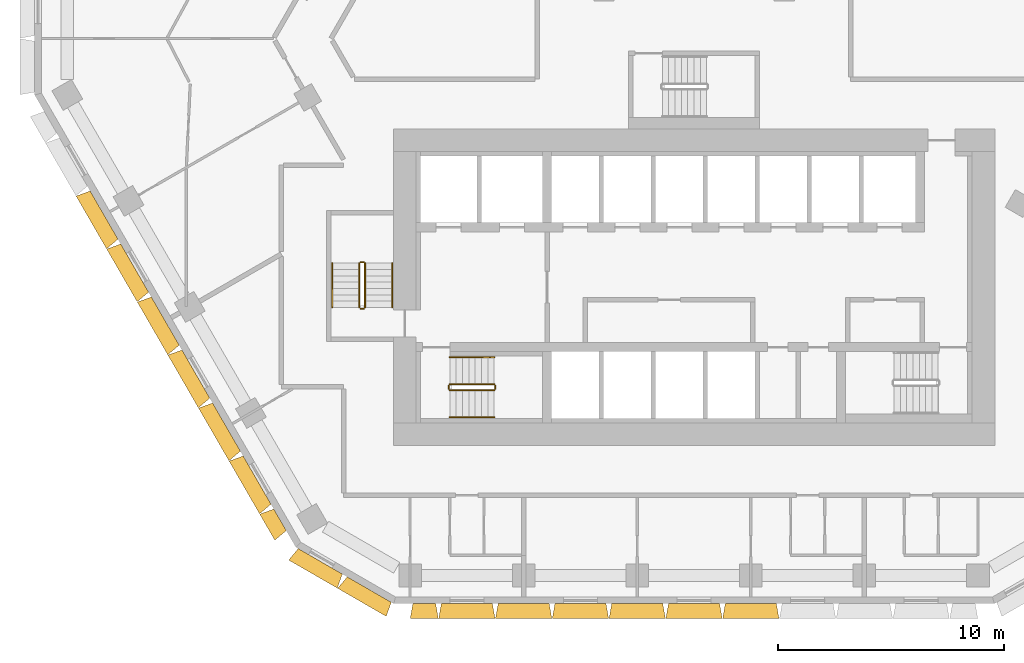
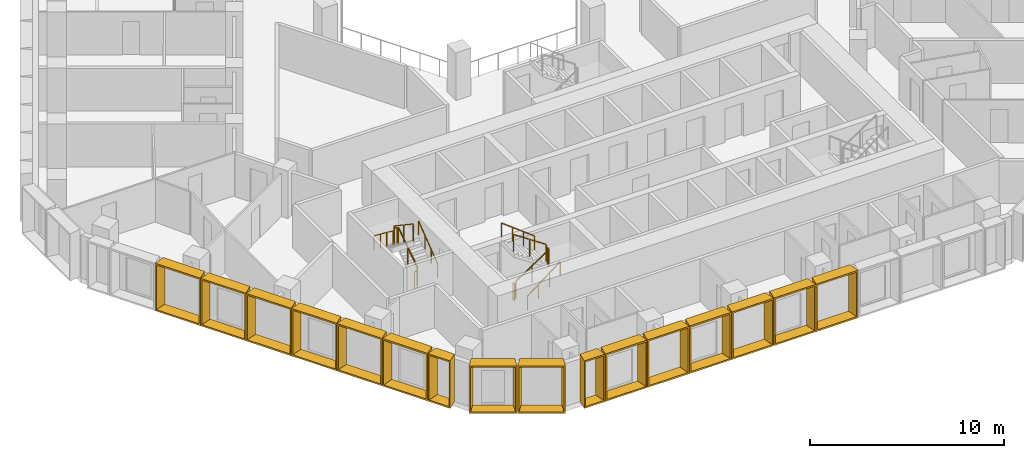
# One storey, part 12 of 15: 16 shading devices, 12 railings.
"""IFC4 building model written with IfcOpenShell, lengths in metres."""

from ifc_helpers import new_model, entity, si_unit, direction, frame, origin, origin_2d, place, context, subcontext, project, spatial, rectangle, extrude, source, transform, mapped, material, type_object, type_shapes, element, save


model = new_model("IFC4")

# Units and contexts
model_context = context("Model", 3, precision=1e-05, world=origin(), true_north=direction((0.0, 1.0)))
body_context = subcontext(model_context, "Body", "Model", "MODEL_VIEW")
ifc_project = project(units=[si_unit("LENGTHUNIT", "METRE"), si_unit("AREAUNIT", "SQUARE_METRE"), si_unit("VOLUMEUNIT", "CUBIC_METRE"), si_unit("PLANEANGLEUNIT", "RADIAN"), si_unit("MASSUNIT", "GRAM", prefix="KILO")], contexts=[model_context])

# Site, building, storey
site_placement = place(None, origin())
site = spatial("IfcSite", under=ifc_project, at=site_placement, CompositionType="ELEMENT")
building_placement = place(site_placement, origin())
building = spatial("IfcBuilding", under=site, at=building_placement, Name="Beryl Residences", CompositionType="ELEMENT")
storey_placement = place(building_placement, frame((0.0, 0.0, 84.0)))
storey = spatial("IfcBuildingStorey", under=building, at=storey_placement, Name="L25", CompositionType="ELEMENT", Elevation=84.0)

# Shading devices
ifc_material_1 = material(Name="Aluminium pale anodised", Category="aluminium")
shading_device_type_1 = type_object("IfcShadingDeviceType", Name="FR126-65A OUTER SKIN frame 650 mm deep, splay 10/10 deg, 1260 x 3000 mm cell", PredefinedType="USERDEFINED", material=ifc_material_1)
cartesian_point_1 = entity("IfcCartesianPoint", [-0.5048828125, 0.0])
cartesian_point_2 = entity("IfcCartesianPoint", [-0.423828125, 0.10009765625])
cartesian_point_3 = entity("IfcCartesianPoint", [-0.61962890625, 0.0])
cartesian_point_4 = entity("IfcCartesianPoint", [-0.538330078125, 0.10009765625])
shared_shape_1 = source(origin(), body_context, "Body", "SweptSolid", [
    entity("IfcExtrudedAreaSolidTapered", entity("IfcArbitraryProfileDefWithVoids", "AREA", None, entity("IfcPolyline", [cartesian_point_1, entity("IfcCartesianPoint", [0.5048828125, 0.0]), entity("IfcCartesianPoint", [0.5048828125, 3.0]), entity("IfcCartesianPoint", [-0.5048828125, 3.0]), cartesian_point_1]), [entity("IfcPolyline", [cartesian_point_2, entity("IfcCartesianPoint", [0.423828125, 0.10009765625]), entity("IfcCartesianPoint", [0.423828125, 2.89990234375]), entity("IfcCartesianPoint", [-0.423828125, 2.89990234375]), cartesian_point_2])]), entity("IfcAxis2Placement3D", entity("IfcCartesianPoint", [0.0, 0.0, 0.0]), entity("IfcDirection", [0.0, 1.0, 0.0]), entity("IfcDirection", [-1.0, 0.0, 0.0])), entity("IfcDirection", [0.0, 0.0, 1.0]), 0.64990234375, entity("IfcArbitraryProfileDefWithVoids", "AREA", None, entity("IfcPolyline", [cartesian_point_3, entity("IfcCartesianPoint", [0.61962890625, 0.0]), entity("IfcCartesianPoint", [0.61962890625, 3.0]), entity("IfcCartesianPoint", [-0.61962890625, 3.0]), cartesian_point_3]), [entity("IfcPolyline", [cartesian_point_4, entity("IfcCartesianPoint", [0.538330078125, 0.10009765625]), entity("IfcCartesianPoint", [0.538330078125, 2.89990234375]), entity("IfcCartesianPoint", [-0.538330078125, 2.89990234375]), cartesian_point_4])])),
])
type_shapes(shading_device_type_1, [shared_shape_1])
shading_device_1_placement = place(storey_placement, frame((-11.928955078125, -26.0, 0.0), z_axis=(0.0, 0.0, 1.0), x_axis=(-1.0, 0.0, 0.0)))
element("IfcShadingDevice", 1, at=shading_device_1_placement, inside=storey, type_object=shading_device_type_1, Name="FR126-65A frame L25 S 1", ObjectType="OUTER SKIN", PredefinedType="USERDEFINED", context=body_context, shape_type="MappedRepresentation", body=[
    mapped(shared_shape_1, transform((0.0, 0.0, 0.0))),
])
ifc_material_2 = material(Name="Aluminium pale anodised", Category="aluminium")
shading_device_type_2 = type_object("IfcShadingDeviceType", Name="FR135-65A OUTER SKIN frame 650 mm deep, splay 10/10 deg, 1350 x 3000 mm cell", PredefinedType="USERDEFINED", material=ifc_material_2)
cartesian_point_5 = entity("IfcCartesianPoint", [-0.550048828125, 0.0])
cartesian_point_6 = entity("IfcCartesianPoint", [-0.46875, 0.10009765625])
cartesian_point_7 = entity("IfcCartesianPoint", [-0.66455078125, 0.0])
cartesian_point_8 = entity("IfcCartesianPoint", [-0.58349609375, 0.10009765625])
shared_shape_2 = source(origin(), body_context, "Body", "SweptSolid", [
    entity("IfcExtrudedAreaSolidTapered", entity("IfcArbitraryProfileDefWithVoids", "AREA", None, entity("IfcPolyline", [cartesian_point_5, entity("IfcCartesianPoint", [0.550048828125, 0.0]), entity("IfcCartesianPoint", [0.550048828125, 3.0]), entity("IfcCartesianPoint", [-0.550048828125, 3.0]), cartesian_point_5]), [entity("IfcPolyline", [cartesian_point_6, entity("IfcCartesianPoint", [0.46875, 0.10009765625]), entity("IfcCartesianPoint", [0.46875, 2.89990234375]), entity("IfcCartesianPoint", [-0.46875, 2.89990234375]), cartesian_point_6])]), entity("IfcAxis2Placement3D", entity("IfcCartesianPoint", [0.0, 0.0, 0.0]), entity("IfcDirection", [0.0, 1.0, 0.0]), entity("IfcDirection", [-1.0, 0.0, 0.0])), entity("IfcDirection", [0.0, 0.0, 1.0]), 0.64990234375, entity("IfcArbitraryProfileDefWithVoids", "AREA", None, entity("IfcPolyline", [cartesian_point_7, entity("IfcCartesianPoint", [0.66455078125, 0.0]), entity("IfcCartesianPoint", [0.66455078125, 3.0]), entity("IfcCartesianPoint", [-0.66455078125, 3.0]), cartesian_point_7]), [entity("IfcPolyline", [cartesian_point_8, entity("IfcCartesianPoint", [0.58349609375, 0.10009765625]), entity("IfcCartesianPoint", [0.58349609375, 2.89990234375]), entity("IfcCartesianPoint", [-0.58349609375, 2.89990234375]), cartesian_point_8])])),
])
type_shapes(shading_device_type_2, [shared_shape_2])
shading_device_2_placement = place(storey_placement, frame((-18.30810546875, -22.2900390625, 0.0), z_axis=(0.0, 0.0, 1.0), x_axis=(-0.5, 0.866025403784, 0.0)))
element("IfcShadingDevice", 2, at=shading_device_2_placement, inside=storey, type_object=shading_device_type_2, Name="FR135-65A frame L25 SW 9", ObjectType="OUTER SKIN", PredefinedType="USERDEFINED", context=body_context, shape_type="MappedRepresentation", body=[
    mapped(shared_shape_2, transform((0.0, 0.0, 0.0))),
])
ifc_material_3 = material(Name="Aluminium pale anodised", Category="aluminium")
shading_device_type_3 = type_object("IfcShadingDeviceType", Name="FR250-65A OUTER SKIN frame 650 mm deep, splay 10/10 deg, 2500 x 3000 mm cell", PredefinedType="USERDEFINED", material=ifc_material_3)
cartesian_point_9 = entity("IfcCartesianPoint", [-1.125, 0.0])
cartesian_point_10 = entity("IfcCartesianPoint", [-1.043701171875, 0.10009765625])
cartesian_point_11 = entity("IfcCartesianPoint", [-1.239501953125, 0.0])
cartesian_point_12 = entity("IfcCartesianPoint", [-1.158447265625, 0.10009765625])
shared_shape_3 = source(origin(), body_context, "Body", "SweptSolid", [
    entity("IfcExtrudedAreaSolidTapered", entity("IfcArbitraryProfileDefWithVoids", "AREA", None, entity("IfcPolyline", [cartesian_point_9, entity("IfcCartesianPoint", [1.125, 0.0]), entity("IfcCartesianPoint", [1.125, 3.0]), entity("IfcCartesianPoint", [-1.125, 3.0]), cartesian_point_9]), [entity("IfcPolyline", [cartesian_point_10, entity("IfcCartesianPoint", [1.043701171875, 0.10009765625]), entity("IfcCartesianPoint", [1.043701171875, 2.89990234375]), entity("IfcCartesianPoint", [-1.043701171875, 2.89990234375]), cartesian_point_10])]), entity("IfcAxis2Placement3D", entity("IfcCartesianPoint", [0.0, 0.0, 0.0]), entity("IfcDirection", [0.0, 1.0, 0.0]), entity("IfcDirection", [-1.0, 0.0, 0.0])), entity("IfcDirection", [0.0, 0.0, 1.0]), 0.64990234375, entity("IfcArbitraryProfileDefWithVoids", "AREA", None, entity("IfcPolyline", [cartesian_point_11, entity("IfcCartesianPoint", [1.239501953125, 0.0]), entity("IfcCartesianPoint", [1.239501953125, 3.0]), entity("IfcCartesianPoint", [-1.239501953125, 3.0]), cartesian_point_11]), [entity("IfcPolyline", [cartesian_point_12, entity("IfcCartesianPoint", [1.158447265625, 0.10009765625]), entity("IfcCartesianPoint", [1.158447265625, 2.89990234375]), entity("IfcCartesianPoint", [-1.158447265625, 2.89990234375]), cartesian_point_12])])),
])
type_shapes(shading_device_type_3, [shared_shape_3])
for number, where, z_axis, x_axis, name in (
    (3, (-16.527099609375, -24.125, 0.0), (0.0, 0.0, 1.0), (-0.866025403784, 0.5, 0.0), "FR250-65A frame L25 SW-S 1"),
    (4, (-14.361083984375, -25.375, 0.0), (0.0, 0.0, 1.0), (-0.866025403784, 0.5, 0.0), "FR250-65A frame L25 SW-S 2"),
):
    element("IfcShadingDevice", number, at=place(storey_placement, frame(where, z_axis=z_axis, x_axis=x_axis)), inside=storey, type_object=shading_device_type_3, Name=name, ObjectType="OUTER SKIN", PredefinedType="USERDEFINED", context=body_context, shape_type="MappedRepresentation", body=[
        mapped(shared_shape_3, transform((0.0, 0.0, 0.0))),
    ])
ifc_material_4 = material(Name="Aluminium pale anodised", Category="aluminium")
shading_device_type_4 = type_object("IfcShadingDeviceType", Name="FR251-65A OUTER SKIN frame 650 mm deep, splay 10/10 deg, 2510 x 3000 mm cell", PredefinedType="USERDEFINED", material=ifc_material_4)
cartesian_point_13 = entity("IfcCartesianPoint", [-1.1298828125, 0.0])
cartesian_point_14 = entity("IfcCartesianPoint", [-1.048828125, 0.10009765625])
cartesian_point_15 = entity("IfcCartesianPoint", [-1.24462890625, 0.0])
cartesian_point_16 = entity("IfcCartesianPoint", [-1.163330078125, 0.10009765625])
shared_shape_4 = source(origin(), body_context, "Body", "SweptSolid", [
    entity("IfcExtrudedAreaSolidTapered", entity("IfcArbitraryProfileDefWithVoids", "AREA", None, entity("IfcPolyline", [cartesian_point_13, entity("IfcCartesianPoint", [1.1298828125, 0.0]), entity("IfcCartesianPoint", [1.1298828125, 3.0]), entity("IfcCartesianPoint", [-1.1298828125, 3.0]), cartesian_point_13]), [entity("IfcPolyline", [cartesian_point_14, entity("IfcCartesianPoint", [1.048828125, 0.10009765625]), entity("IfcCartesianPoint", [1.048828125, 2.89990234375]), entity("IfcCartesianPoint", [-1.048828125, 2.89990234375]), cartesian_point_14])]), entity("IfcAxis2Placement3D", entity("IfcCartesianPoint", [0.0, 0.0, 0.0]), entity("IfcDirection", [0.0, 1.0, 0.0]), entity("IfcDirection", [-1.0, 0.0, 0.0])), entity("IfcDirection", [0.0, 0.0, 1.0]), 0.64990234375, entity("IfcArbitraryProfileDefWithVoids", "AREA", None, entity("IfcPolyline", [cartesian_point_15, entity("IfcCartesianPoint", [1.24462890625, 0.0]), entity("IfcCartesianPoint", [1.24462890625, 3.0]), entity("IfcCartesianPoint", [-1.24462890625, 3.0]), cartesian_point_15]), [entity("IfcPolyline", [cartesian_point_16, entity("IfcCartesianPoint", [1.163330078125, 0.10009765625]), entity("IfcCartesianPoint", [1.163330078125, 2.89990234375]), entity("IfcCartesianPoint", [-1.163330078125, 2.89990234375]), cartesian_point_16])])),
])
type_shapes(shading_device_type_4, [shared_shape_4])
for number, where, z_axis, x_axis, name in (
    (5, (-10.0458984375, -26.0, 0.0), (0.0, 0.0, 1.0), (-1.0, 0.0, 0.0), "FR251-65A frame L25 S 2"),
    (6, (-7.533935546875, -26.0, 0.0), (0.0, 0.0, 1.0), (-1.0, 0.0, 0.0), "FR251-65A frame L25 S 3"),
    (7, (-5.02197265625, -26.0, 0.0), (0.0, 0.0, 1.0), (-1.0, 0.0, 0.0), "FR251-65A frame L25 S 4"),
    (8, (-2.510986328125, -26.0, 0.0), (0.0, 0.0, 1.0), (-1.0, 0.0, 0.0), "FR251-65A frame L25 S 5"),
    (9, (0.0, -26.0, 0.0), (0.0, 0.0, 1.0), (-1.0, 0.0, 0.0), "FR251-65A frame L25 S 6"),
    (10, (2.511962890625, -26.0, 0.0), (0.0, 0.0, 1.0), (-1.0, 0.0, 0.0), "FR251-65A frame L25 S 7"),
):
    element("IfcShadingDevice", number, at=place(storey_placement, frame(where, z_axis=z_axis, x_axis=x_axis)), inside=storey, type_object=shading_device_type_4, Name=name, ObjectType="OUTER SKIN", PredefinedType="USERDEFINED", context=body_context, shape_type="MappedRepresentation", body=[
        mapped(shared_shape_4, transform((0.0, 0.0, 0.0))),
    ])
ifc_material_5 = material(Name="Aluminium pale anodised", Category="aluminium")
shading_device_type_5 = type_object("IfcShadingDeviceType", Name="FR271-65A OUTER SKIN frame 650 mm deep, splay 10/10 deg, 2710 x 3000 mm cell", PredefinedType="USERDEFINED", material=ifc_material_5)
cartesian_point_17 = entity("IfcCartesianPoint", [-1.22998046875, 0.0])
cartesian_point_18 = entity("IfcCartesianPoint", [-1.148681640625, 0.10009765625])
cartesian_point_19 = entity("IfcCartesianPoint", [-1.3447265625, 0.0])
cartesian_point_20 = entity("IfcCartesianPoint", [-1.263427734375, 0.10009765625])
shared_shape_5 = source(origin(), body_context, "Body", "SweptSolid", [
    entity("IfcExtrudedAreaSolidTapered", entity("IfcArbitraryProfileDefWithVoids", "AREA", None, entity("IfcPolyline", [cartesian_point_17, entity("IfcCartesianPoint", [1.22998046875, 0.0]), entity("IfcCartesianPoint", [1.22998046875, 3.0]), entity("IfcCartesianPoint", [-1.22998046875, 3.0]), cartesian_point_17]), [entity("IfcPolyline", [cartesian_point_18, entity("IfcCartesianPoint", [1.148681640625, 0.10009765625]), entity("IfcCartesianPoint", [1.148681640625, 2.89990234375]), entity("IfcCartesianPoint", [-1.148681640625, 2.89990234375]), cartesian_point_18])]), entity("IfcAxis2Placement3D", entity("IfcCartesianPoint", [0.0, 0.0, 0.0]), entity("IfcDirection", [0.0, 1.0, 0.0]), entity("IfcDirection", [-1.0, 0.0, 0.0])), entity("IfcDirection", [0.0, 0.0, 1.0]), 0.64990234375, entity("IfcArbitraryProfileDefWithVoids", "AREA", None, entity("IfcPolyline", [cartesian_point_19, entity("IfcCartesianPoint", [1.3447265625, 0.0]), entity("IfcCartesianPoint", [1.3447265625, 3.0]), entity("IfcCartesianPoint", [-1.3447265625, 3.0]), cartesian_point_19]), [entity("IfcPolyline", [cartesian_point_20, entity("IfcCartesianPoint", [1.263427734375, 0.10009765625]), entity("IfcCartesianPoint", [1.263427734375, 2.89990234375]), entity("IfcCartesianPoint", [-1.263427734375, 2.89990234375]), cartesian_point_20])])),
])
type_shapes(shading_device_type_5, [shared_shape_5])
for number, where, z_axis, x_axis, name in (
    (11, (-26.090087890625, -8.81201171875, 0.0), (0.0, 0.0, 1.0), (-0.5, 0.866025403784, 0.0), "FR271-65A frame L25 SW 3"),
    (12, (-24.736083984375, -11.156005859375, 0.0), (0.0, 0.0, 1.0), (-0.5, 0.866025403784, 0.0), "FR271-65A frame L25 SW 4"),
    (13, (-23.383056640625, -13.5, 0.0), (0.0, 0.0, 1.0), (-0.5, 0.866025403784, 0.0), "FR271-65A frame L25 SW 5"),
    (14, (-22.030029296875, -15.843994140625, 0.0), (0.0, 0.0, 1.0), (-0.5, 0.866025403784, 0.0), "FR271-65A frame L25 SW 6"),
    (15, (-20.676025390625, -18.18798828125, 0.0), (0.0, 0.0, 1.0), (-0.5, 0.866025403784, 0.0), "FR271-65A frame L25 SW 7"),
    (16, (-19.322998046875, -20.531982421875, 0.0), (0.0, 0.0, 1.0), (-0.5, 0.866025403784, 0.0), "FR271-65A frame L25 SW 8"),
):
    element("IfcShadingDevice", number, at=place(storey_placement, frame(where, z_axis=z_axis, x_axis=x_axis)), inside=storey, type_object=shading_device_type_5, Name=name, ObjectType="OUTER SKIN", PredefinedType="USERDEFINED", context=body_context, shape_type="MappedRepresentation", body=[
        mapped(shared_shape_5, transform((0.0, 0.0, 0.0))),
    ])

# Railings
ifc_material_6 = material(Name="Stainless steel balustrade with glass infill", Category="steel")
railing_type_1 = type_object("IfcRailingType", Name="SG1 stair guard 1100 mm", PredefinedType="GUARDRAIL", material=ifc_material_6)
railing_1_placement = place(storey_placement, frame((-10.800048828125, -16.550048828125, 0.1875)))
element("IfcRailing", 17, at=railing_1_placement, inside=storey, type_object=railing_type_1, Name="L25 ST-1 stair guard 1", PredefinedType="GUARDRAIL", context=body_context, shape_type="SweptSolid", body=[
    extrude(rectangle(XDim=0.048095703125, YDim=0.048095703125, at=origin_2d()), frame((0.0, 0.0, 1.076171875), z_axis=(0.830902050051, 0.0, 0.556418712142), x_axis=(0.0, 1.0, 0.0)), (0.0, 0.0, 1.0), 2.35888671875),
    extrude(rectangle(XDim=0.0419921875, YDim=0.0419921875, at=origin_2d()), origin(), (0.0, 0.0, 1.0), 1.052001953125),
    extrude(rectangle(XDim=0.0419921875, YDim=0.0419921875, at=origin_2d()), frame((0.97998046875, 0.0, 0.65625)), (0.0, 0.0, 1.0), 1.052001953125),
    extrude(rectangle(XDim=0.0419921875, YDim=0.0419921875, at=origin_2d()), frame((1.9599609375, 0.0, 1.3125)), (0.0, 0.0, 1.0), 1.052001953125),
])
railing_2_placement = place(storey_placement, frame((-8.7900390625, -16.5, 1.5)))
element("IfcRailing", 18, at=railing_2_placement, inside=storey, type_object=railing_type_1, Name="L25 ST-1 stair guard 2", PredefinedType="GUARDRAIL", context=body_context, shape_type="SweptSolid", body=[
    extrude(rectangle(XDim=0.048095703125, YDim=0.048095703125, at=origin_2d()), frame((0.0, 0.0, 1.076171875), z_axis=(0.0, 1.0, 0.0), x_axis=(-1.0, 0.0, 0.0)), (0.0, 0.0, 1.0), 0.14990234375),
    extrude(rectangle(XDim=0.0419921875, YDim=0.0419921875, at=origin_2d()), origin(), (0.0, 0.0, 1.0), 1.052001953125),
    extrude(rectangle(XDim=0.0419921875, YDim=0.0419921875, at=origin_2d()), frame((0.0, 0.14990234375, 0.0)), (0.0, 0.0, 1.0), 1.052001953125),
])
railing_3_placement = place(storey_placement, frame((-8.840087890625, -16.300048828125, 1.6875)))
element("IfcRailing", 19, at=railing_3_placement, inside=storey, type_object=railing_type_1, Name="L25 ST-1 stair guard 3", PredefinedType="GUARDRAIL", context=body_context, shape_type="SweptSolid", body=[
    extrude(rectangle(XDim=0.048095703125, YDim=0.048095703125, at=origin_2d()), frame((0.0, 0.0, 1.076171875), z_axis=(-0.830902050051, 0.0, 0.556418712142), x_axis=(0.0, -1.0, 0.0)), (0.0, 0.0, 1.0), 2.35888671875),
    extrude(rectangle(XDim=0.0419921875, YDim=0.0419921875, at=origin_2d()), origin(), (0.0, 0.0, 1.0), 1.052001953125),
    extrude(rectangle(XDim=0.0419921875, YDim=0.0419921875, at=origin_2d()), frame((-0.97998046875, 0.0, 0.65625)), (0.0, 0.0, 1.0), 1.052001953125),
    extrude(rectangle(XDim=0.0419921875, YDim=0.0419921875, at=origin_2d()), frame((-1.9599609375, 0.0, 1.3125)), (0.0, 0.0, 1.0), 1.052001953125),
])
railing_4_placement = place(storey_placement, frame((-10.85009765625, -16.5, 0.0)))
element("IfcRailing", 20, at=railing_4_placement, inside=storey, type_object=railing_type_1, Name="L25 ST-1 stair guard 4", PredefinedType="GUARDRAIL", context=body_context, shape_type="SweptSolid", body=[
    extrude(rectangle(XDim=0.048095703125, YDim=0.048095703125, at=origin_2d()), frame((0.0, 0.0, 1.076171875), z_axis=(0.0, 1.0, 0.0), x_axis=(-1.0, 0.0, 0.0)), (0.0, 0.0, 1.0), 0.14990234375),
    extrude(rectangle(XDim=0.0419921875, YDim=0.0419921875, at=origin_2d()), origin(), (0.0, 0.0, 1.0), 1.052001953125),
    extrude(rectangle(XDim=0.0419921875, YDim=0.0419921875, at=origin_2d()), frame((0.0, 0.14990234375, 0.0)), (0.0, 0.0, 1.0), 1.052001953125),
])
railing_5_placement = place(storey_placement, frame((-14.550048828125, -12.89990234375, 0.1875)))
element("IfcRailing", 21, at=railing_5_placement, inside=storey, type_object=railing_type_1, Name="L25 ST-2 stair guard 1", PredefinedType="GUARDRAIL", context=body_context, shape_type="SweptSolid", body=[
    extrude(rectangle(XDim=0.048095703125, YDim=0.048095703125, at=origin_2d()), frame((0.0, 0.0, 1.076171875), z_axis=(0.0, 0.830902050051, 0.556418712142), x_axis=(-1.0, 0.0, 0.0)), (0.0, 0.0, 1.0), 2.35888671875),
    extrude(rectangle(XDim=0.0419921875, YDim=0.0419921875, at=origin_2d()), origin(), (0.0, 0.0, 1.0), 1.052001953125),
    extrude(rectangle(XDim=0.0419921875, YDim=0.0419921875, at=origin_2d()), frame((0.0, 0.97998046875, 0.65625)), (0.0, 0.0, 1.0), 1.052001953125),
    extrude(rectangle(XDim=0.0419921875, YDim=0.0419921875, at=origin_2d()), frame((0.0, 1.9599609375, 1.3125)), (0.0, 0.0, 1.0), 1.052001953125),
])
railing_6_placement = place(storey_placement, frame((-14.60009765625, -10.889892578125, 1.5)))
element("IfcRailing", 22, at=railing_6_placement, inside=storey, type_object=railing_type_1, Name="L25 ST-2 stair guard 2", PredefinedType="GUARDRAIL", context=body_context, shape_type="SweptSolid", body=[
    extrude(rectangle(XDim=0.048095703125, YDim=0.048095703125, at=origin_2d()), frame((0.0, 0.0, 1.076171875), z_axis=(-1.0, 0.0, 0.0), x_axis=(0.0, -1.0, 0.0)), (0.0, 0.0, 1.0), 0.14990234375),
    extrude(rectangle(XDim=0.0419921875, YDim=0.0419921875, at=origin_2d()), origin(), (0.0, 0.0, 1.0), 1.052001953125),
    extrude(rectangle(XDim=0.0419921875, YDim=0.0419921875, at=origin_2d()), frame((-0.14990234375, 0.0, 0.0)), (0.0, 0.0, 1.0), 1.052001953125),
])
railing_7_placement = place(storey_placement, frame((-14.800048828125, -10.93994140625, 1.6875)))
element("IfcRailing", 23, at=railing_7_placement, inside=storey, type_object=railing_type_1, Name="L25 ST-2 stair guard 3", PredefinedType="GUARDRAIL", context=body_context, shape_type="SweptSolid", body=[
    extrude(rectangle(XDim=0.048095703125, YDim=0.048095703125, at=origin_2d()), frame((0.0, 0.0, 1.076171875), z_axis=(0.0, -0.830902050051, 0.556418712142), x_axis=(1.0, 0.0, 0.0)), (0.0, 0.0, 1.0), 2.35888671875),
    extrude(rectangle(XDim=0.0419921875, YDim=0.0419921875, at=origin_2d()), origin(), (0.0, 0.0, 1.0), 1.052001953125),
    extrude(rectangle(XDim=0.0419921875, YDim=0.0419921875, at=origin_2d()), frame((0.0, -0.97998046875, 0.65625)), (0.0, 0.0, 1.0), 1.052001953125),
    extrude(rectangle(XDim=0.0419921875, YDim=0.0419921875, at=origin_2d()), frame((0.0, -1.9599609375, 1.3125)), (0.0, 0.0, 1.0), 1.052001953125),
])
railing_8_placement = place(storey_placement, frame((-14.60009765625, -12.949951171875, 0.0)))
element("IfcRailing", 24, at=railing_8_placement, inside=storey, type_object=railing_type_1, Name="L25 ST-2 stair guard 4", PredefinedType="GUARDRAIL", context=body_context, shape_type="SweptSolid", body=[
    extrude(rectangle(XDim=0.048095703125, YDim=0.048095703125, at=origin_2d()), frame((0.0, 0.0, 1.076171875), z_axis=(-1.0, 0.0, 0.0), x_axis=(0.0, -1.0, 0.0)), (0.0, 0.0, 1.0), 0.14990234375),
    extrude(rectangle(XDim=0.0419921875, YDim=0.0419921875, at=origin_2d()), origin(), (0.0, 0.0, 1.0), 1.052001953125),
    extrude(rectangle(XDim=0.0419921875, YDim=0.0419921875, at=origin_2d()), frame((-0.14990234375, 0.0, 0.0)), (0.0, 0.0, 1.0), 1.052001953125),
])
ifc_material_7 = material(Name="Stainless steel handrail", Category="steel")
railing_type_2 = type_object("IfcRailingType", Name="SRL1 stair handrail 900 mm", PredefinedType="HANDRAIL", material=ifc_material_7)
railing_9_placement = place(storey_placement, frame((-10.800048828125, -17.75, 0.1875)))
element("IfcRailing", 25, at=railing_9_placement, inside=storey, type_object=railing_type_2, Name="L25 ST-1 stair handrail 1", PredefinedType="HANDRAIL", context=body_context, shape_type="SweptSolid", body=[
    extrude(rectangle(XDim=0.048095703125, YDim=0.048095703125, at=origin_2d()), frame((0.0, 0.0, 0.8759765625), z_axis=(0.794121922505, 0.0, 0.607758481798), x_axis=(0.0, 1.0, 0.0)), (0.0, 0.0, 1.0), 2.468017578125),
    extrude(rectangle(XDim=0.0419921875, YDim=0.0419921875, at=origin_2d()), origin(), (0.0, 0.0, 1.0), 0.851806640625),
    extrude(rectangle(XDim=0.0419921875, YDim=0.0419921875, at=origin_2d()), frame((0.6533203125, 0.0, 0.5)), (0.0, 0.0, 1.0), 0.851806640625),
    extrude(rectangle(XDim=0.0419921875, YDim=0.0419921875, at=origin_2d()), frame((1.306640625, 0.0, 1.0)), (0.0, 0.0, 1.0), 0.851806640625),
    extrude(rectangle(XDim=0.0419921875, YDim=0.0419921875, at=origin_2d()), frame((1.9599609375, 0.0, 1.5)), (0.0, 0.0, 1.0), 0.851806640625),
])
railing_10_placement = place(storey_placement, frame((-8.840087890625, -15.10009765625, 1.6875)))
element("IfcRailing", 26, at=railing_10_placement, inside=storey, type_object=railing_type_2, Name="L25 ST-1 stair handrail 2", PredefinedType="HANDRAIL", context=body_context, shape_type="SweptSolid", body=[
    extrude(rectangle(XDim=0.048095703125, YDim=0.048095703125, at=origin_2d()), frame((0.0, 0.0, 0.8759765625), z_axis=(-0.794121922505, 0.0, 0.607758481798), x_axis=(0.0, -1.0, 0.0)), (0.0, 0.0, 1.0), 2.468017578125),
    extrude(rectangle(XDim=0.0419921875, YDim=0.0419921875, at=origin_2d()), origin(), (0.0, 0.0, 1.0), 0.851806640625),
    extrude(rectangle(XDim=0.0419921875, YDim=0.0419921875, at=origin_2d()), frame((-0.6533203125, 0.0, 0.5)), (0.0, 0.0, 1.0), 0.851806640625),
    extrude(rectangle(XDim=0.0419921875, YDim=0.0419921875, at=origin_2d()), frame((-1.306640625, 0.0, 1.0)), (0.0, 0.0, 1.0), 0.851806640625),
    extrude(rectangle(XDim=0.0419921875, YDim=0.0419921875, at=origin_2d()), frame((-1.9599609375, 0.0, 1.5)), (0.0, 0.0, 1.0), 0.851806640625),
])
railing_11_placement = place(storey_placement, frame((-13.35009765625, -12.89990234375, 0.1875)))
element("IfcRailing", 27, at=railing_11_placement, inside=storey, type_object=railing_type_2, Name="L25 ST-2 stair handrail 1", PredefinedType="HANDRAIL", context=body_context, shape_type="SweptSolid", body=[
    extrude(rectangle(XDim=0.048095703125, YDim=0.048095703125, at=origin_2d()), frame((0.0, 0.0, 0.8759765625), z_axis=(0.0, 0.794121922505, 0.607758481798), x_axis=(-1.0, 0.0, 0.0)), (0.0, 0.0, 1.0), 2.468017578125),
    extrude(rectangle(XDim=0.0419921875, YDim=0.0419921875, at=origin_2d()), origin(), (0.0, 0.0, 1.0), 0.851806640625),
    extrude(rectangle(XDim=0.0419921875, YDim=0.0419921875, at=origin_2d()), frame((0.0, 0.6533203125, 0.5)), (0.0, 0.0, 1.0), 0.851806640625),
    extrude(rectangle(XDim=0.0419921875, YDim=0.0419921875, at=origin_2d()), frame((0.0, 1.306640625, 1.0)), (0.0, 0.0, 1.0), 0.851806640625),
    extrude(rectangle(XDim=0.0419921875, YDim=0.0419921875, at=origin_2d()), frame((0.0, 1.9599609375, 1.5)), (0.0, 0.0, 1.0), 0.851806640625),
])
railing_12_placement = place(storey_placement, frame((-16.0, -10.93994140625, 1.6875)))
element("IfcRailing", 28, at=railing_12_placement, inside=storey, type_object=railing_type_2, Name="L25 ST-2 stair handrail 2", PredefinedType="HANDRAIL", context=body_context, shape_type="SweptSolid", body=[
    extrude(rectangle(XDim=0.048095703125, YDim=0.048095703125, at=origin_2d()), frame((0.0, 0.0, 0.8759765625), z_axis=(0.0, -0.794121922505, 0.607758481798), x_axis=(1.0, 0.0, 0.0)), (0.0, 0.0, 1.0), 2.468017578125),
    extrude(rectangle(XDim=0.0419921875, YDim=0.0419921875, at=origin_2d()), origin(), (0.0, 0.0, 1.0), 0.851806640625),
    extrude(rectangle(XDim=0.0419921875, YDim=0.0419921875, at=origin_2d()), frame((0.0, -0.6533203125, 0.5)), (0.0, 0.0, 1.0), 0.851806640625),
    extrude(rectangle(XDim=0.0419921875, YDim=0.0419921875, at=origin_2d()), frame((0.0, -1.306640625, 1.0)), (0.0, 0.0, 1.0), 0.851806640625),
    extrude(rectangle(XDim=0.0419921875, YDim=0.0419921875, at=origin_2d()), frame((0.0, -1.9599609375, 1.5)), (0.0, 0.0, 1.0), 0.851806640625),
])

save(model, "model.ifc")
